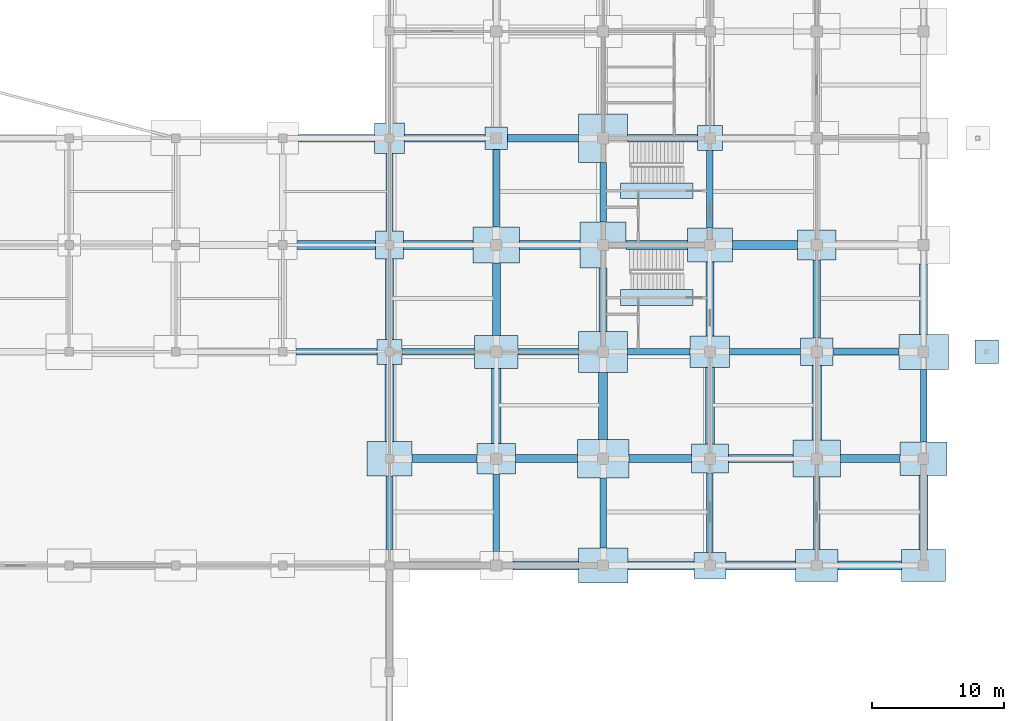
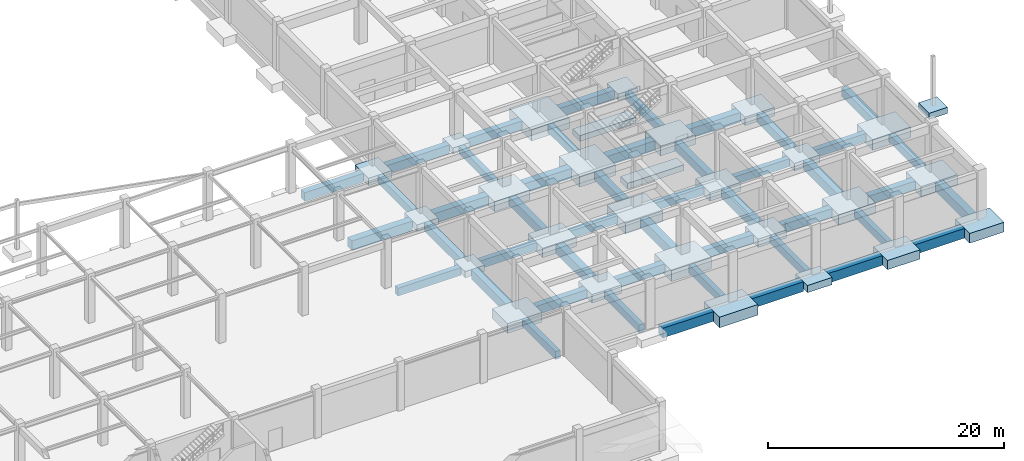
# One storey, part 7 of 67: 74 footings.
"""IFC4 building model written with IfcOpenShell, lengths in metres."""

from ifc_helpers import new_model, si_unit, direction, frame, origin, origin_2d, place, context, subcontext, project, spatial, rectangle, extrude, material, type_object, element, save


model = new_model("IFC4")

# Units and contexts
model_context = context("Model", 3, precision=1e-05, world=origin(), true_north=direction((0.0, 1.0)))
body_context = subcontext(model_context, "Body", "Model", "MODEL_VIEW")
ifc_project = project(units=[si_unit("LENGTHUNIT", "METRE"), si_unit("AREAUNIT", "SQUARE_METRE"), si_unit("VOLUMEUNIT", "CUBIC_METRE"), si_unit("PLANEANGLEUNIT", "RADIAN"), si_unit("MASSUNIT", "GRAM", prefix="KILO")], contexts=[model_context])

# Site, building, storey
site_placement = place(None, origin())
site = spatial("IfcSite", under=ifc_project, at=site_placement, CompositionType="ELEMENT")
building_placement = place(site_placement, origin())
building = spatial("IfcBuilding", under=site, at=building_placement, Name="Vaudrelin Polytechnic", CompositionType="ELEMENT")
storey_placement = place(building_placement, frame((0.0, 0.0, -5.10009765625)))
storey = spatial("IfcBuildingStorey", under=building, at=storey_placement, Name="B1", CompositionType="ELEMENT", Elevation=-5.10009765625)

# Footings
ifc_material = material(Name="Concrete 40 MPa", Category="concrete")
footing_type_1 = type_object("IfcFootingType", Name="FTG-GB-01", PredefinedType="FOOTING_BEAM", material=ifc_material)
footing_1_placement = place(storey_placement, frame((125.574951171875, 32.39990234375, -1.25), z_axis=(0.0, 0.0, 1.0), x_axis=(1.0, 0.0, 0.0)))
element("IfcFooting", 1, at=footing_1_placement, inside=storey, type_object=footing_type_1, Name="Ground tie beam GB-0243", PredefinedType="FOOTING_BEAM", context=body_context, shape_type="SweptSolid", body=[
    extrude(rectangle(XDim=6.14990234375, YDim=0.5, at=origin_2d()), origin(), (0.0, 0.0, 1.0), 0.800048828125),
])
footing_2_placement = place(storey_placement, frame((129.60009765625, 20.199951171875, -1.25), z_axis=(0.0, 0.0, 1.0), x_axis=(1.0, 0.0, 0.0)))
element("IfcFooting", 2, at=footing_2_placement, inside=storey, type_object=footing_type_1, Name="Ground tie beam GB-0258", PredefinedType="FOOTING_BEAM", context=body_context, shape_type="SweptSolid", body=[
    extrude(rectangle(XDim=0.5, YDim=5.60009765625, at=origin_2d()), origin(), (0.0, 0.0, 1.0), 0.800048828125),
])
footing_3_placement = place(storey_placement, frame((133.300048828125, 32.39990234375, -1.25), z_axis=(0.0, 0.0, 1.0), x_axis=(1.0, 0.0, 0.0)))
element("IfcFooting", 3, at=footing_3_placement, inside=storey, type_object=footing_type_1, Name="Ground tie beam GB-0261", PredefinedType="FOOTING_BEAM", context=body_context, shape_type="SweptSolid", body=[
    extrude(rectangle(XDim=5.5, YDim=0.5, at=origin_2d()), origin(), (0.0, 0.0, 1.0), 0.800048828125),
])
for number, where, z_axis, x_axis, name in (
    (4, (129.60009765625, 44.5, -1.25), (0.0, 0.0, 1.0), (1.0, 0.0, 0.0), "Ground tie beam GB-0264"),
    (5, (137.699951171875, 20.199951171875, -1.25), (0.0, 0.0, 1.0), (1.0, 0.0, 0.0), "Ground tie beam GB-0285"),
):
    element("IfcFooting", number, at=place(storey_placement, frame(where, z_axis=z_axis, x_axis=x_axis)), inside=storey, type_object=footing_type_1, Name=name, PredefinedType="FOOTING_BEAM", context=body_context, shape_type="SweptSolid", body=[
        extrude(rectangle(XDim=0.5, YDim=5.89990234375, at=origin_2d()), origin(), (0.0, 0.0, 1.0), 0.800048828125),
    ])
footing_4_placement = place(storey_placement, frame((141.64990234375, 32.39990234375, -1.25), z_axis=(0.0, 0.0, 1.0), x_axis=(1.0, 0.0, 0.0)))
element("IfcFooting", 6, at=footing_4_placement, inside=storey, type_object=footing_type_1, Name="Ground tie beam GB-0288", PredefinedType="FOOTING_BEAM", context=body_context, shape_type="SweptSolid", body=[
    extrude(rectangle(XDim=4.60009765625, YDim=0.5, at=origin_2d()), origin(), (0.0, 0.0, 1.0), 0.800048828125),
])
footing_5_placement = place(storey_placement, frame((137.699951171875, 44.800048828125, -1.25), z_axis=(0.0, 0.0, 1.0), x_axis=(1.0, 0.0, 0.0)))
element("IfcFooting", 7, at=footing_5_placement, inside=storey, type_object=footing_type_1, Name="Ground tie beam GB-0291", PredefinedType="FOOTING_BEAM", context=body_context, shape_type="SweptSolid", body=[
    extrude(rectangle(XDim=0.5, YDim=5.89990234375, at=origin_2d()), origin(), (0.0, 0.0, 1.0), 0.800048828125),
])
footing_6_placement = place(storey_placement, frame((145.800048828125, 20.1875, -1.25), z_axis=(0.0, 0.0, 1.0), x_axis=(1.0, 0.0, 0.0)))
element("IfcFooting", 8, at=footing_6_placement, inside=storey, type_object=footing_type_1, Name="Ground tie beam GB-0312", PredefinedType="FOOTING_BEAM", context=body_context, shape_type="SweptSolid", body=[
    extrude(rectangle(XDim=0.5, YDim=5.324951171875, at=origin_2d()), origin(), (0.0, 0.0, 1.0), 0.800048828125),
])
footing_7_placement = place(storey_placement, frame((150.02490234375, 32.39990234375, -1.25), z_axis=(0.0, 0.0, 1.0), x_axis=(1.0, 0.0, 0.0)))
element("IfcFooting", 9, at=footing_7_placement, inside=storey, type_object=footing_type_1, Name="Ground tie beam GB-0315", PredefinedType="FOOTING_BEAM", context=body_context, shape_type="SweptSolid", body=[
    extrude(rectangle(XDim=4.75, YDim=0.5, at=origin_2d()), origin(), (0.0, 0.0, 1.0), 0.800048828125),
])
footing_8_placement = place(storey_placement, frame((145.800048828125, 44.5, -1.25), z_axis=(0.0, 0.0, 1.0), x_axis=(1.0, 0.0, 0.0)))
element("IfcFooting", 10, at=footing_8_placement, inside=storey, type_object=footing_type_1, Name="Ground tie beam GB-0318", PredefinedType="FOOTING_BEAM", context=body_context, shape_type="SweptSolid", body=[
    extrude(rectangle(XDim=0.5, YDim=4.5, at=origin_2d()), origin(), (0.0, 0.0, 1.0), 0.800048828125),
])
footing_9_placement = place(storey_placement, frame((153.89990234375, 20.199951171875, -1.25), z_axis=(0.0, 0.0, 1.0), x_axis=(1.0, 0.0, 0.0)))
element("IfcFooting", 11, at=footing_9_placement, inside=storey, type_object=footing_type_1, Name="Ground tie beam GB-0339", PredefinedType="FOOTING_BEAM", context=body_context, shape_type="SweptSolid", body=[
    extrude(rectangle(XDim=0.5, YDim=6.0, at=origin_2d()), origin(), (0.0, 0.0, 1.0), 0.800048828125),
])
footing_10_placement = place(storey_placement, frame((158.074951171875, 32.39990234375, -1.25), z_axis=(0.0, 0.0, 1.0), x_axis=(1.0, 0.0, 0.0)))
element("IfcFooting", 12, at=footing_10_placement, inside=storey, type_object=footing_type_1, Name="Ground tie beam GB-0342", PredefinedType="FOOTING_BEAM", context=body_context, shape_type="SweptSolid", body=[
    extrude(rectangle(XDim=5.35009765625, YDim=0.5, at=origin_2d()), origin(), (0.0, 0.0, 1.0), 0.800048828125),
])
footing_11_placement = place(storey_placement, frame((153.89990234375, 44.72509765625, -1.25), z_axis=(0.0, 0.0, 1.0), x_axis=(1.0, 0.0, 0.0)))
element("IfcFooting", 13, at=footing_11_placement, inside=storey, type_object=footing_type_1, Name="Ground tie beam GB-0345", PredefinedType="FOOTING_BEAM", context=body_context, shape_type="SweptSolid", body=[
    extrude(rectangle(XDim=0.5, YDim=5.85009765625, at=origin_2d()), origin(), (0.0, 0.0, 1.0), 0.800048828125),
])
footing_12_placement = place(storey_placement, frame((162.0, 20.14990234375, -1.25), z_axis=(0.0, 0.0, 1.0), x_axis=(1.0, 0.0, 0.0)))
element("IfcFooting", 14, at=footing_12_placement, inside=storey, type_object=footing_type_1, Name="Ground tie beam GB-0366", PredefinedType="FOOTING_BEAM", context=body_context, shape_type="SweptSolid", body=[
    extrude(rectangle(XDim=0.5, YDim=5.5, at=origin_2d()), origin(), (0.0, 0.0, 1.0), 0.800048828125),
])
footing_13_placement = place(storey_placement, frame((165.737548828125, 32.39990234375, -1.25), z_axis=(0.0, 0.0, 1.0), x_axis=(1.0, 0.0, 0.0)))
element("IfcFooting", 15, at=footing_13_placement, inside=storey, type_object=footing_type_1, Name="Ground tie beam GB-0369", PredefinedType="FOOTING_BEAM", context=body_context, shape_type="SweptSolid", body=[
    extrude(rectangle(XDim=4.97509765625, YDim=0.5, at=origin_2d()), origin(), (0.0, 0.0, 1.0), 0.800048828125),
])
footing_14_placement = place(storey_placement, frame((170.10009765625, 28.324951171875, -1.25), z_axis=(0.0, 0.0, 1.0), x_axis=(1.0, 0.0, 0.0)))
element("IfcFooting", 16, at=footing_14_placement, inside=storey, type_object=footing_type_1, Name="Ground tie beam GB-0393", PredefinedType="FOOTING_BEAM", context=body_context, shape_type="SweptSolid", body=[
    extrude(rectangle(XDim=0.5, YDim=5.5, at=origin_2d()), origin(), (0.0, 0.0, 1.0), 0.800048828125),
])
footing_type_2 = type_object("IfcFootingType", Name="FTG-GB-02", PredefinedType="FOOTING_BEAM", material=ifc_material)
footing_15_placement = place(storey_placement, frame((125.574951171875, 48.60009765625, -1.349853515625), z_axis=(0.0, 0.0, 1.0), x_axis=(1.0, 0.0, 0.0)))
element("IfcFooting", 17, at=footing_15_placement, inside=storey, type_object=footing_type_2, Name="Ground tie beam GB-0247", PredefinedType="FOOTING_BEAM", context=body_context, shape_type="SweptSolid", body=[
    extrude(rectangle(XDim=5.75, YDim=0.60009765625, at=origin_2d()), origin(), (0.0, 0.0, 1.0), 0.89990234375),
])
footing_16_placement = place(storey_placement, frame((133.77490234375, 24.300048828125, -1.349853515625), z_axis=(0.0, 0.0, 1.0), x_axis=(1.0, 0.0, 0.0)))
element("IfcFooting", 18, at=footing_16_placement, inside=storey, type_object=footing_type_2, Name="Ground tie beam GB-0259", PredefinedType="FOOTING_BEAM", context=body_context, shape_type="SweptSolid", body=[
    extrude(rectangle(XDim=4.949951171875, YDim=0.60009765625, at=origin_2d()), origin(), (0.0, 0.0, 1.0), 0.89990234375),
])
footing_17_placement = place(storey_placement, frame((129.60009765625, 36.39990234375, -1.349853515625), z_axis=(0.0, 0.0, 1.0), x_axis=(1.0, 0.0, 0.0)))
element("IfcFooting", 19, at=footing_17_placement, inside=storey, type_object=footing_type_2, Name="Ground tie beam GB-0262", PredefinedType="FOOTING_BEAM", context=body_context, shape_type="SweptSolid", body=[
    extrude(rectangle(XDim=0.60009765625, YDim=6.10009765625, at=origin_2d()), origin(), (0.0, 0.0, 1.0), 0.89990234375),
])
footing_18_placement = place(storey_placement, frame((133.800048828125, 48.60009765625, -1.349853515625), z_axis=(0.0, 0.0, 1.0), x_axis=(1.0, 0.0, 0.0)))
element("IfcFooting", 20, at=footing_18_placement, inside=storey, type_object=footing_type_2, Name="Ground tie beam GB-0265", PredefinedType="FOOTING_BEAM", context=body_context, shape_type="SweptSolid", body=[
    extrude(rectangle(XDim=6.10009765625, YDim=0.60009765625, at=origin_2d()), origin(), (0.0, 0.0, 1.0), 0.89990234375),
])
footing_19_placement = place(storey_placement, frame((141.5, 24.300048828125, -1.349853515625), z_axis=(0.0, 0.0, 1.0), x_axis=(1.0, 0.0, 0.0)))
element("IfcFooting", 21, at=footing_19_placement, inside=storey, type_object=footing_type_2, Name="Ground tie beam GB-0286", PredefinedType="FOOTING_BEAM", context=body_context, shape_type="SweptSolid", body=[
    extrude(rectangle(XDim=4.699951171875, YDim=0.60009765625, at=origin_2d()), origin(), (0.0, 0.0, 1.0), 0.89990234375),
])
footing_20_placement = place(storey_placement, frame((137.699951171875, 36.39990234375, -1.349853515625), z_axis=(0.0, 0.0, 1.0), x_axis=(1.0, 0.0, 0.0)))
element("IfcFooting", 22, at=footing_20_placement, inside=storey, type_object=footing_type_2, Name="Ground tie beam GB-0289", PredefinedType="FOOTING_BEAM", context=body_context, shape_type="SweptSolid", body=[
    extrude(rectangle(XDim=0.60009765625, YDim=5.5, at=origin_2d()), origin(), (0.0, 0.0, 1.0), 0.89990234375),
])
footing_21_placement = place(storey_placement, frame((141.25, 48.60009765625, -1.349853515625), z_axis=(0.0, 0.0, 1.0), x_axis=(1.0, 0.0, 0.0)))
element("IfcFooting", 23, at=footing_21_placement, inside=storey, type_object=footing_type_2, Name="Ground tie beam GB-0292", PredefinedType="FOOTING_BEAM", context=body_context, shape_type="SweptSolid", body=[
    extrude(rectangle(XDim=5.39990234375, YDim=0.60009765625, at=origin_2d()), origin(), (0.0, 0.0, 1.0), 0.89990234375),
])
footing_22_placement = place(storey_placement, frame((150.125, 24.300048828125, -1.349853515625), z_axis=(0.0, 0.0, 1.0), x_axis=(1.0, 0.0, 0.0)))
element("IfcFooting", 24, at=footing_22_placement, inside=storey, type_object=footing_type_2, Name="Ground tie beam GB-0313", PredefinedType="FOOTING_BEAM", context=body_context, shape_type="SweptSolid", body=[
    extrude(rectangle(XDim=4.75, YDim=0.60009765625, at=origin_2d()), origin(), (0.0, 0.0, 1.0), 0.89990234375),
])
footing_23_placement = place(storey_placement, frame((145.800048828125, 36.35009765625, -1.349853515625), z_axis=(0.0, 0.0, 1.0), x_axis=(1.0, 0.0, 0.0)))
element("IfcFooting", 25, at=footing_23_placement, inside=storey, type_object=footing_type_2, Name="Ground tie beam GB-0316", PredefinedType="FOOTING_BEAM", context=body_context, shape_type="SweptSolid", body=[
    extrude(rectangle(XDim=0.60009765625, YDim=4.800048828125, at=origin_2d()), origin(), (0.0, 0.0, 1.0), 0.89990234375),
])
footing_24_placement = place(storey_placement, frame((150.300048828125, 48.60009765625, -1.349853515625), z_axis=(0.0, 0.0, 1.0), x_axis=(1.0, 0.0, 0.0)))
element("IfcFooting", 26, at=footing_24_placement, inside=storey, type_object=footing_type_2, Name="Ground tie beam GB-0319", PredefinedType="FOOTING_BEAM", context=body_context, shape_type="SweptSolid", body=[
    extrude(rectangle(XDim=5.300048828125, YDim=0.60009765625, at=origin_2d()), origin(), (0.0, 0.0, 1.0), 0.89990234375),
])
footing_25_placement = place(storey_placement, frame((157.75, 24.300048828125, -1.349853515625), z_axis=(0.0, 0.0, 1.0), x_axis=(1.0, 0.0, 0.0)))
element("IfcFooting", 27, at=footing_25_placement, inside=storey, type_object=footing_type_2, Name="Ground tie beam GB-0340", PredefinedType="FOOTING_BEAM", context=body_context, shape_type="SweptSolid", body=[
    extrude(rectangle(XDim=4.89990234375, YDim=0.60009765625, at=origin_2d()), origin(), (0.0, 0.0, 1.0), 0.89990234375),
])
footing_26_placement = place(storey_placement, frame((153.89990234375, 36.39990234375, -1.349853515625), z_axis=(0.0, 0.0, 1.0), x_axis=(1.0, 0.0, 0.0)))
element("IfcFooting", 28, at=footing_26_placement, inside=storey, type_object=footing_type_2, Name="Ground tie beam GB-0343", PredefinedType="FOOTING_BEAM", context=body_context, shape_type="SweptSolid", body=[
    extrude(rectangle(XDim=0.60009765625, YDim=5.60009765625, at=origin_2d()), origin(), (0.0, 0.0, 1.0), 0.89990234375),
])
footing_27_placement = place(storey_placement, frame((166.0625, 24.300048828125, -1.349853515625), z_axis=(0.0, 0.0, 1.0), x_axis=(1.0, 0.0, 0.0)))
element("IfcFooting", 29, at=footing_27_placement, inside=storey, type_object=footing_type_2, Name="Ground tie beam GB-0367", PredefinedType="FOOTING_BEAM", context=body_context, shape_type="SweptSolid", body=[
    extrude(rectangle(XDim=4.52490234375, YDim=0.60009765625, at=origin_2d()), origin(), (0.0, 0.0, 1.0), 0.89990234375),
])
footing_28_placement = place(storey_placement, frame((162.0, 36.39990234375, -1.349853515625), z_axis=(0.0, 0.0, 1.0), x_axis=(1.0, 0.0, 0.0)))
element("IfcFooting", 30, at=footing_28_placement, inside=storey, type_object=footing_type_2, Name="Ground tie beam GB-0370", PredefinedType="FOOTING_BEAM", context=body_context, shape_type="SweptSolid", body=[
    extrude(rectangle(XDim=0.60009765625, YDim=5.89990234375, at=origin_2d()), origin(), (0.0, 0.0, 1.0), 0.89990234375),
])
footing_29_placement = place(storey_placement, frame((170.10009765625, 36.387451171875, -1.349853515625), z_axis=(0.0, 0.0, 1.0), x_axis=(1.0, 0.0, 0.0)))
element("IfcFooting", 31, at=footing_29_placement, inside=storey, type_object=footing_type_2, Name="Ground tie beam GB-0394", PredefinedType="FOOTING_BEAM", context=body_context, shape_type="SweptSolid", body=[
    extrude(rectangle(XDim=0.60009765625, YDim=5.324951171875, at=origin_2d()), origin(), (0.0, 0.0, 1.0), 0.89990234375),
])
footing_type_3 = type_object("IfcFootingType", Name="FTG-GB-03", PredefinedType="FOOTING_BEAM", material=ifc_material)
footing_30_placement = place(storey_placement, frame((125.574951171875, 40.5, -1.449951171875), z_axis=(0.0, 0.0, 1.0), x_axis=(1.0, 0.0, 0.0)))
element("IfcFooting", 32, at=footing_30_placement, inside=storey, type_object=footing_type_3, Name="Ground tie beam GB-0245", PredefinedType="FOOTING_BEAM", context=body_context, shape_type="SweptSolid", body=[
    extrude(rectangle(XDim=5.949951171875, YDim=0.699951171875, at=origin_2d()), origin(), (0.0, 0.0, 1.0), 1.0),
])
footing_31_placement = place(storey_placement, frame((129.60009765625, 28.52490234375, -1.449951171875), z_axis=(0.0, 0.0, 1.0), x_axis=(1.0, 0.0, 0.0)))
element("IfcFooting", 33, at=footing_31_placement, inside=storey, type_object=footing_type_3, Name="Ground tie beam GB-0260", PredefinedType="FOOTING_BEAM", context=body_context, shape_type="SweptSolid", body=[
    extrude(rectangle(XDim=0.699951171875, YDim=5.85009765625, at=origin_2d()), origin(), (0.0, 0.0, 1.0), 1.0),
])
footing_32_placement = place(storey_placement, frame((133.300048828125, 40.5, -1.449951171875), z_axis=(0.0, 0.0, 1.0), x_axis=(1.0, 0.0, 0.0)))
element("IfcFooting", 34, at=footing_32_placement, inside=storey, type_object=footing_type_3, Name="Ground tie beam GB-0263", PredefinedType="FOOTING_BEAM", context=body_context, shape_type="SweptSolid", body=[
    extrude(rectangle(XDim=5.300048828125, YDim=0.699951171875, at=origin_2d()), origin(), (0.0, 0.0, 1.0), 1.0),
])
footing_33_placement = place(storey_placement, frame((141.4375, 16.199951171875, -1.449951171875), z_axis=(0.0, 0.0, 1.0), x_axis=(1.0, 0.0, 0.0)))
element("IfcFooting", 35, at=footing_33_placement, inside=storey, type_object=footing_type_3, Name="Ground tie beam GB-0284", PredefinedType="FOOTING_BEAM", context=body_context, shape_type="SweptSolid", body=[
    extrude(rectangle(XDim=4.97509765625, YDim=0.699951171875, at=origin_2d()), origin(), (0.0, 0.0, 1.0), 1.0),
])
footing_34_placement = place(storey_placement, frame((137.699951171875, 28.300048828125, -1.449951171875), z_axis=(0.0, 0.0, 1.0), x_axis=(1.0, 0.0, 0.0)))
element("IfcFooting", 36, at=footing_34_placement, inside=storey, type_object=footing_type_3, Name="Ground tie beam GB-0287", PredefinedType="FOOTING_BEAM", context=body_context, shape_type="SweptSolid", body=[
    extrude(rectangle(XDim=0.699951171875, YDim=5.699951171875, at=origin_2d()), origin(), (0.0, 0.0, 1.0), 1.0),
])
footing_35_placement = place(storey_placement, frame((141.75, 40.5, -1.449951171875), z_axis=(0.0, 0.0, 1.0), x_axis=(1.0, 0.0, 0.0)))
element("IfcFooting", 37, at=footing_35_placement, inside=storey, type_object=footing_type_3, Name="Ground tie beam GB-0290", PredefinedType="FOOTING_BEAM", context=body_context, shape_type="SweptSolid", body=[
    extrude(rectangle(XDim=4.60009765625, YDim=0.699951171875, at=origin_2d()), origin(), (0.0, 0.0, 1.0), 1.0),
])
footing_36_placement = place(storey_placement, frame((150.1875, 16.199951171875, -1.449951171875), z_axis=(0.0, 0.0, 1.0), x_axis=(1.0, 0.0, 0.0)))
element("IfcFooting", 38, at=footing_36_placement, inside=storey, type_object=footing_type_3, Name="Ground tie beam GB-0311", PredefinedType="FOOTING_BEAM", context=body_context, shape_type="SweptSolid", body=[
    extrude(rectangle(XDim=5.02490234375, YDim=0.699951171875, at=origin_2d()), origin(), (0.0, 0.0, 1.0), 1.0),
])
footing_37_placement = place(storey_placement, frame((145.800048828125, 28.300048828125, -1.449951171875), z_axis=(0.0, 0.0, 1.0), x_axis=(1.0, 0.0, 0.0)))
element("IfcFooting", 39, at=footing_37_placement, inside=storey, type_object=footing_type_3, Name="Ground tie beam GB-0314", PredefinedType="FOOTING_BEAM", context=body_context, shape_type="SweptSolid", body=[
    extrude(rectangle(XDim=0.699951171875, YDim=5.10009765625, at=origin_2d()), origin(), (0.0, 0.0, 1.0), 1.0),
])
footing_38_placement = place(storey_placement, frame((149.875, 40.5, -1.449951171875), z_axis=(0.0, 0.0, 1.0), x_axis=(1.0, 0.0, 0.0)))
element("IfcFooting", 40, at=footing_38_placement, inside=storey, type_object=footing_type_3, Name="Ground tie beam GB-0317", PredefinedType="FOOTING_BEAM", context=body_context, shape_type="SweptSolid", body=[
    extrude(rectangle(XDim=4.64990234375, YDim=0.699951171875, at=origin_2d()), origin(), (0.0, 0.0, 1.0), 1.0),
])
footing_39_placement = place(storey_placement, frame((157.75, 16.199951171875, -1.449951171875), z_axis=(0.0, 0.0, 1.0), x_axis=(1.0, 0.0, 0.0)))
element("IfcFooting", 41, at=footing_39_placement, inside=storey, type_object=footing_type_3, Name="Ground tie beam GB-0338", PredefinedType="FOOTING_BEAM", context=body_context, shape_type="SweptSolid", body=[
    extrude(rectangle(XDim=5.300048828125, YDim=0.699951171875, at=origin_2d()), origin(), (0.0, 0.0, 1.0), 1.0),
])
footing_40_placement = place(storey_placement, frame((153.89990234375, 28.300048828125, -1.449951171875), z_axis=(0.0, 0.0, 1.0), x_axis=(1.0, 0.0, 0.0)))
element("IfcFooting", 42, at=footing_40_placement, inside=storey, type_object=footing_type_3, Name="Ground tie beam GB-0341", PredefinedType="FOOTING_BEAM", context=body_context, shape_type="SweptSolid", body=[
    extrude(rectangle(XDim=0.699951171875, YDim=5.800048828125, at=origin_2d()), origin(), (0.0, 0.0, 1.0), 1.0),
])
footing_41_placement = place(storey_placement, frame((158.074951171875, 40.5, -1.449951171875), z_axis=(0.0, 0.0, 1.0), x_axis=(1.0, 0.0, 0.0)))
element("IfcFooting", 43, at=footing_41_placement, inside=storey, type_object=footing_type_3, Name="Ground tie beam GB-0344", PredefinedType="FOOTING_BEAM", context=body_context, shape_type="SweptSolid", body=[
    extrude(rectangle(XDim=4.949951171875, YDim=0.699951171875, at=origin_2d()), origin(), (0.0, 0.0, 1.0), 1.0),
])
footing_42_placement = place(storey_placement, frame((166.012451171875, 16.199951171875, -1.449951171875), z_axis=(0.0, 0.0, 1.0), x_axis=(1.0, 0.0, 0.0)))
element("IfcFooting", 44, at=footing_42_placement, inside=storey, type_object=footing_type_3, Name="Ground tie beam GB-0365", PredefinedType="FOOTING_BEAM", context=body_context, shape_type="SweptSolid", body=[
    extrude(rectangle(XDim=4.824951171875, YDim=0.699951171875, at=origin_2d()), origin(), (0.0, 0.0, 1.0), 1.0),
])
footing_43_placement = place(storey_placement, frame((162.0, 28.52490234375, -1.449951171875), z_axis=(0.0, 0.0, 1.0), x_axis=(1.0, 0.0, 0.0)))
element("IfcFooting", 45, at=footing_43_placement, inside=storey, type_object=footing_type_3, Name="Ground tie beam GB-0368", PredefinedType="FOOTING_BEAM", context=body_context, shape_type="SweptSolid", body=[
    extrude(rectangle(XDim=0.699951171875, YDim=5.64990234375, at=origin_2d()), origin(), (0.0, 0.0, 1.0), 1.0),
])
footing_44_placement = place(storey_placement, frame((170.10009765625, 20.22509765625, -1.449951171875), z_axis=(0.0, 0.0, 1.0), x_axis=(1.0, 0.0, 0.0)))
element("IfcFooting", 46, at=footing_44_placement, inside=storey, type_object=footing_type_3, Name="Ground tie beam GB-0392", PredefinedType="FOOTING_BEAM", context=body_context, shape_type="SweptSolid", body=[
    extrude(rectangle(XDim=0.699951171875, YDim=5.60009765625, at=origin_2d()), origin(), (0.0, 0.0, 1.0), 1.0),
])
footing_type_4 = type_object("IfcFootingType", Name="FTG-PF-01", PredefinedType="PAD_FOOTING", material=ifc_material)
footing_45_placement = place(storey_placement, frame((174.89990234375, 32.39990234375, -0.64990234375), z_axis=(0.0, 0.0, 1.0), x_axis=(1.0, 0.0, 0.0)))
element("IfcFooting", 47, at=footing_45_placement, inside=storey, type_object=footing_type_4, Name="Sculptural prow footing E_OR1_1", PredefinedType="PAD_FOOTING", context=body_context, shape_type="SweptSolid", body=[
    extrude(rectangle(XDim=1.800048828125, YDim=1.800048828125, at=origin_2d()), origin(), (0.0, 0.0, 1.0), 0.64990234375),
])
footing_type_5 = type_object("IfcFootingType", Name="FTG-PF-09", PredefinedType="PAD_FOOTING", material=ifc_material)
footing_46_placement = place(storey_placement, frame((153.89990234375, 16.199951171875, -1.199951171875), z_axis=(0.0, 0.0, 1.0), x_axis=(1.0, 0.0, 0.0)))
element("IfcFooting", 48, at=footing_46_placement, inside=storey, type_object=footing_type_5, Name="Spread footing 19-2", PredefinedType="PAD_FOOTING", context=body_context, shape_type="SweptSolid", body=[
    extrude(rectangle(XDim=2.39990234375, YDim=2.0, at=origin_2d()), origin(), (0.0, 0.0, 1.0), 0.75),
])
footing_type_6 = type_object("IfcFootingType", Name="FTG-PF-10", PredefinedType="PAD_FOOTING", material=ifc_material)
footing_47_placement = place(storey_placement, frame((153.89990234375, 24.300048828125, -1.300048828125), z_axis=(0.0, 0.0, 1.0), x_axis=(1.0, 0.0, 0.0)))
element("IfcFooting", 49, at=footing_47_placement, inside=storey, type_object=footing_type_6, Name="Spread footing 19-3", PredefinedType="PAD_FOOTING", context=body_context, shape_type="SweptSolid", body=[
    extrude(rectangle(XDim=2.800048828125, YDim=2.199951171875, at=origin_2d()), origin(), (0.0, 0.0, 1.0), 0.85009765625),
])
footing_type_7 = type_object("IfcFootingType", Name="FTG-PF-11", PredefinedType="PAD_FOOTING", material=ifc_material)
footing_48_placement = place(storey_placement, frame((153.89990234375, 32.39990234375, -1.349853515625), z_axis=(0.0, 0.0, 1.0), x_axis=(1.0, 0.0, 0.0)))
element("IfcFooting", 50, at=footing_48_placement, inside=storey, type_object=footing_type_7, Name="Spread footing 19-4", PredefinedType="PAD_FOOTING", context=body_context, shape_type="SweptSolid", body=[
    extrude(rectangle(XDim=3.0, YDim=2.39990234375, at=origin_2d()), origin(), (0.0, 0.0, 1.0), 0.89990234375),
])
footing_type_8 = type_object("IfcFootingType", Name="FTG-PF-12", PredefinedType="PAD_FOOTING", material=ifc_material)
for number, where, z_axis, x_axis, name in (
    (51, (129.60009765625, 24.300048828125, -1.449951171875), (0.0, 0.0, 1.0), (1.0, 0.0, 0.0), "Spread footing 16-3"),
    (52, (153.89990234375, 40.5, -1.449951171875), (0.0, 0.0, 1.0), (1.0, 0.0, 0.0), "Spread footing 19-5"),
):
    element("IfcFooting", number, at=place(storey_placement, frame(where, z_axis=z_axis, x_axis=x_axis)), inside=storey, type_object=footing_type_8, Name=name, PredefinedType="PAD_FOOTING", context=body_context, shape_type="SweptSolid", body=[
        extrude(rectangle(XDim=3.39990234375, YDim=2.60009765625, at=origin_2d()), origin(), (0.0, 0.0, 1.0), 1.0),
    ])
footing_type_9 = type_object("IfcFootingType", Name="FTG-PF-13", PredefinedType="PAD_FOOTING", material=ifc_material)
for number, where, z_axis, x_axis, name in (
    (53, (129.60009765625, 32.39990234375, -1.099853515625), (0.0, 0.0, 1.0), (1.0, 0.0, 0.0), "Spread footing 16-4"),
    (54, (153.89990234375, 48.60009765625, -1.099853515625), (0.0, 0.0, 1.0), (1.0, 0.0, 0.0), "Spread footing 19-6"),
):
    element("IfcFooting", number, at=place(storey_placement, frame(where, z_axis=z_axis, x_axis=x_axis)), inside=storey, type_object=footing_type_9, Name=name, PredefinedType="PAD_FOOTING", context=body_context, shape_type="SweptSolid", body=[
        extrude(rectangle(XDim=1.89990234375, YDim=1.89990234375, at=origin_2d()), origin(), (0.0, 0.0, 1.0), 0.64990234375),
    ])
footing_type_10 = type_object("IfcFootingType", Name="FTG-PF-14", PredefinedType="PAD_FOOTING", material=ifc_material)
footing_49_placement = place(storey_placement, frame((129.60009765625, 40.5, -1.14990234375), z_axis=(0.0, 0.0, 1.0), x_axis=(1.0, 0.0, 0.0)))
element("IfcFooting", 55, at=footing_49_placement, inside=storey, type_object=footing_type_10, Name="Spread footing 16-5", PredefinedType="PAD_FOOTING", context=body_context, shape_type="SweptSolid", body=[
    extrude(rectangle(XDim=2.10009765625, YDim=2.10009765625, at=origin_2d()), origin(), (0.0, 0.0, 1.0), 0.699951171875),
])
footing_type_11 = type_object("IfcFootingType", Name="FTG-PF-15", PredefinedType="PAD_FOOTING", material=ifc_material)
footing_50_placement = place(storey_placement, frame((129.60009765625, 48.60009765625, -1.199951171875), z_axis=(0.0, 0.0, 1.0), x_axis=(1.0, 0.0, 0.0)))
element("IfcFooting", 56, at=footing_50_placement, inside=storey, type_object=footing_type_11, Name="Spread footing 16-6", PredefinedType="PAD_FOOTING", context=body_context, shape_type="SweptSolid", body=[
    extrude(rectangle(XDim=2.300048828125, YDim=2.300048828125, at=origin_2d()), origin(), (0.0, 0.0, 1.0), 0.75),
])
footing_type_12 = type_object("IfcFootingType", Name="FTG-PF-23", PredefinedType="PAD_FOOTING", material=ifc_material)
footing_51_placement = place(storey_placement, frame((162.0, 16.199951171875, -1.39990234375), z_axis=(0.0, 0.0, 1.0), x_axis=(1.0, 0.0, 0.0)))
element("IfcFooting", 57, at=footing_51_placement, inside=storey, type_object=footing_type_12, Name="Spread footing 20-2", PredefinedType="PAD_FOOTING", context=body_context, shape_type="SweptSolid", body=[
    extrude(rectangle(XDim=3.199951171875, YDim=2.39990234375, at=origin_2d()), origin(), (0.0, 0.0, 1.0), 0.949951171875),
])
footing_type_13 = type_object("IfcFootingType", Name="FTG-PF-24", PredefinedType="PAD_FOOTING", material=ifc_material)
footing_52_placement = place(storey_placement, frame((162.0, 24.300048828125, -1.550048828125), z_axis=(0.0, 0.0, 1.0), x_axis=(1.0, 0.0, 0.0)))
element("IfcFooting", 58, at=footing_52_placement, inside=storey, type_object=footing_type_13, Name="Spread footing 20-3", PredefinedType="PAD_FOOTING", context=body_context, shape_type="SweptSolid", body=[
    extrude(rectangle(XDim=3.60009765625, YDim=2.800048828125, at=origin_2d()), origin(), (0.0, 0.0, 1.0), 1.10009765625),
])
footing_type_14 = type_object("IfcFootingType", Name="FTG-PF-25", PredefinedType="PAD_FOOTING", material=ifc_material)
footing_53_placement = place(storey_placement, frame((162.0, 32.39990234375, -1.22998046875), z_axis=(0.0, 0.0, 1.0), x_axis=(1.0, 0.0, 0.0)))
element("IfcFooting", 59, at=footing_53_placement, inside=storey, type_object=footing_type_14, Name="Spread footing 20-4", PredefinedType="PAD_FOOTING", context=body_context, shape_type="SweptSolid", body=[
    extrude(rectangle(XDim=2.5, YDim=2.10009765625, at=origin_2d()), origin(), (0.0, 0.0, 1.0), 0.780029296875),
])
footing_type_15 = type_object("IfcFootingType", Name="FTG-PF-26", PredefinedType="PAD_FOOTING", material=ifc_material)
for number, where, z_axis, x_axis, name in (
    (60, (137.699951171875, 24.300048828125, -1.329833984375), (0.0, 0.0, 1.0), (1.0, 0.0, 0.0), "Spread footing 17-3"),
    (61, (162.0, 40.5, -1.329833984375), (0.0, 0.0, 1.0), (1.0, 0.0, 0.0), "Spread footing 20-5"),
):
    element("IfcFooting", number, at=place(storey_placement, frame(where, z_axis=z_axis, x_axis=x_axis)), inside=storey, type_object=footing_type_15, Name=name, PredefinedType="PAD_FOOTING", context=body_context, shape_type="SweptSolid", body=[
        extrude(rectangle(XDim=2.89990234375, YDim=2.300048828125, at=origin_2d()), origin(), (0.0, 0.0, 1.0), 0.8798828125),
    ])
footing_type_16 = type_object("IfcFootingType", Name="FTG-PF-27", PredefinedType="PAD_FOOTING", material=ifc_material)
footing_54_placement = place(storey_placement, frame((137.699951171875, 32.39990234375, -1.429931640625), z_axis=(0.0, 0.0, 1.0), x_axis=(1.0, 0.0, 0.0)))
element("IfcFooting", 62, at=footing_54_placement, inside=storey, type_object=footing_type_16, Name="Spread footing 17-4", PredefinedType="PAD_FOOTING", context=body_context, shape_type="SweptSolid", body=[
    extrude(rectangle(XDim=3.300048828125, YDim=2.5, at=origin_2d()), origin(), (0.0, 0.0, 1.0), 0.97998046875),
])
footing_type_17 = type_object("IfcFootingType", Name="FTG-PF-28", PredefinedType="PAD_FOOTING", material=ifc_material)
footing_55_placement = place(storey_placement, frame((137.699951171875, 40.5, -1.5), z_axis=(0.0, 0.0, 1.0), x_axis=(1.0, 0.0, 0.0)))
element("IfcFooting", 63, at=footing_55_placement, inside=storey, type_object=footing_type_17, Name="Spread footing 17-5", PredefinedType="PAD_FOOTING", context=body_context, shape_type="SweptSolid", body=[
    extrude(rectangle(XDim=3.5, YDim=2.699951171875, at=origin_2d()), origin(), (0.0, 0.0, 1.0), 1.050048828125),
])
footing_type_18 = type_object("IfcFootingType", Name="FTG-PF-29", PredefinedType="PAD_FOOTING", material=ifc_material)
footing_56_placement = place(storey_placement, frame((137.699951171875, 48.60009765625, -1.050048828125), z_axis=(0.0, 0.0, 1.0), x_axis=(1.0, 0.0, 0.0)))
element("IfcFooting", 64, at=footing_56_placement, inside=storey, type_object=footing_type_18, Name="Spread footing 17-6", PredefinedType="PAD_FOOTING", context=body_context, shape_type="SweptSolid", body=[
    extrude(rectangle(XDim=1.699951171875, YDim=1.699951171875, at=origin_2d()), origin(), (0.0, 0.0, 1.0), 0.60009765625),
])
footing_type_19 = type_object("IfcFootingType", Name="FTG-PF-37", PredefinedType="PAD_FOOTING", material=ifc_material)
footing_57_placement = place(storey_placement, frame((170.10009765625, 16.199951171875, -1.449951171875), z_axis=(0.0, 0.0, 1.0), x_axis=(1.0, 0.0, 0.0)))
element("IfcFooting", 65, at=footing_57_placement, inside=storey, type_object=footing_type_19, Name="Spread footing 21-2", PredefinedType="PAD_FOOTING", context=body_context, shape_type="SweptSolid", body=[
    extrude(rectangle(XDim=3.35009765625, YDim=2.449951171875, at=origin_2d()), origin(), (0.0, 0.0, 1.0), 1.0),
])
footing_type_20 = type_object("IfcFootingType", Name="FTG-PF-38", PredefinedType="PAD_FOOTING", material=ifc_material)
footing_58_placement = place(storey_placement, frame((170.10009765625, 24.300048828125, -1.5), z_axis=(0.0, 0.0, 1.0), x_axis=(1.0, 0.0, 0.0)))
element("IfcFooting", 66, at=footing_58_placement, inside=storey, type_object=footing_type_20, Name="Spread footing 21-3", PredefinedType="PAD_FOOTING", context=body_context, shape_type="SweptSolid", body=[
    extrude(rectangle(XDim=3.550048828125, YDim=2.550048828125, at=origin_2d()), origin(), (0.0, 0.0, 1.0), 1.050048828125),
])
footing_type_21 = type_object("IfcFootingType", Name="FTG-PF-39", PredefinedType="PAD_FOOTING", material=ifc_material)
for number, where, z_axis, x_axis, name in (
    (67, (145.800048828125, 16.199951171875, -1.550048828125), (0.0, 0.0, 1.0), (1.0, 0.0, 0.0), "Spread footing 18-2"),
    (68, (170.10009765625, 32.39990234375, -1.550048828125), (0.0, 0.0, 1.0), (1.0, 0.0, 0.0), "Spread footing 21-4"),
):
    element("IfcFooting", number, at=place(storey_placement, frame(where, z_axis=z_axis, x_axis=x_axis)), inside=storey, type_object=footing_type_21, Name=name, PredefinedType="PAD_FOOTING", context=body_context, shape_type="SweptSolid", body=[
        extrude(rectangle(XDim=3.75, YDim=2.64990234375, at=origin_2d()), origin(), (0.0, 0.0, 1.0), 1.10009765625),
    ])
footing_type_22 = type_object("IfcFootingType", Name="FTG-PF-40", PredefinedType="PAD_FOOTING", material=ifc_material)
footing_59_placement = place(storey_placement, frame((145.800048828125, 24.300048828125, -1.599853515625), z_axis=(0.0, 0.0, 1.0), x_axis=(1.0, 0.0, 0.0)))
element("IfcFooting", 69, at=footing_59_placement, inside=storey, type_object=footing_type_22, Name="Spread footing 18-3", PredefinedType="PAD_FOOTING", context=body_context, shape_type="SweptSolid", body=[
    extrude(rectangle(XDim=3.89990234375, YDim=2.89990234375, at=origin_2d()), origin(), (0.0, 0.0, 1.0), 1.14990234375),
])
footing_type_23 = type_object("IfcFootingType", Name="FTG-PF-41", PredefinedType="PAD_FOOTING", material=ifc_material)
footing_60_placement = place(storey_placement, frame((145.800048828125, 32.39990234375, -1.550048828125), z_axis=(0.0, 0.0, 1.0), x_axis=(1.0, 0.0, 0.0)))
element("IfcFooting", 70, at=footing_60_placement, inside=storey, type_object=footing_type_23, Name="Spread footing 18-4", PredefinedType="PAD_FOOTING", context=body_context, shape_type="SweptSolid", body=[
    extrude(rectangle(XDim=3.699951171875, YDim=3.10009765625, at=origin_2d()), origin(), (0.0, 0.0, 1.0), 1.10009765625),
])
footing_type_24 = type_object("IfcFootingType", Name="FTG-PF-42", PredefinedType="PAD_FOOTING", material=ifc_material)
footing_61_placement = place(storey_placement, frame((145.800048828125, 40.5, -1.550048828125), z_axis=(0.0, 0.0, 1.0), x_axis=(1.0, 0.0, 0.0)))
element("IfcFooting", 71, at=footing_61_placement, inside=storey, type_object=footing_type_24, Name="Spread footing 18-5", PredefinedType="PAD_FOOTING", context=body_context, shape_type="SweptSolid", body=[
    extrude(rectangle(XDim=3.5, YDim=3.5, at=origin_2d()), origin(), (0.0, 0.0, 1.0), 1.10009765625),
])
footing_type_25 = type_object("IfcFootingType", Name="FTG-PF-43", PredefinedType="PAD_FOOTING", material=ifc_material)
footing_62_placement = place(storey_placement, frame((145.800048828125, 48.60009765625, -1.599853515625), z_axis=(0.0, 0.0, 1.0), x_axis=(1.0, 0.0, 0.0)))
element("IfcFooting", 72, at=footing_62_placement, inside=storey, type_object=footing_type_25, Name="Spread footing 18-6", PredefinedType="PAD_FOOTING", context=body_context, shape_type="SweptSolid", body=[
    extrude(rectangle(XDim=3.699951171875, YDim=3.699951171875, at=origin_2d()), origin(), (0.0, 0.0, 1.0), 1.14990234375),
])
footing_type_26 = type_object("IfcFootingType", Name="FTG-SF-01", PredefinedType="STRIP_FOOTING", material=ifc_material)
for number, where, z_axis, x_axis, name in (
    (73, (149.85009765625, 36.510009765625, -1.099853515625), (0.0, 0.0, 1.0), (1.0, 0.0, 0.0), "Core C8 stair wall strip footing"),
    (74, (149.85009765625, 44.610107421875, -1.099853515625), (0.0, 0.0, 1.0), (1.0, 0.0, 0.0), "Core C12 stair wall strip footing"),
):
    element("IfcFooting", number, at=place(storey_placement, frame(where, z_axis=z_axis, x_axis=x_axis)), inside=storey, type_object=footing_type_26, Name=name, PredefinedType="STRIP_FOOTING", context=body_context, shape_type="SweptSolid", body=[
        extrude(rectangle(XDim=5.5, YDim=1.199951171875, at=origin_2d()), origin(), (0.0, 0.0, 1.0), 0.60009765625),
    ])

save(model, "model.ifc")
